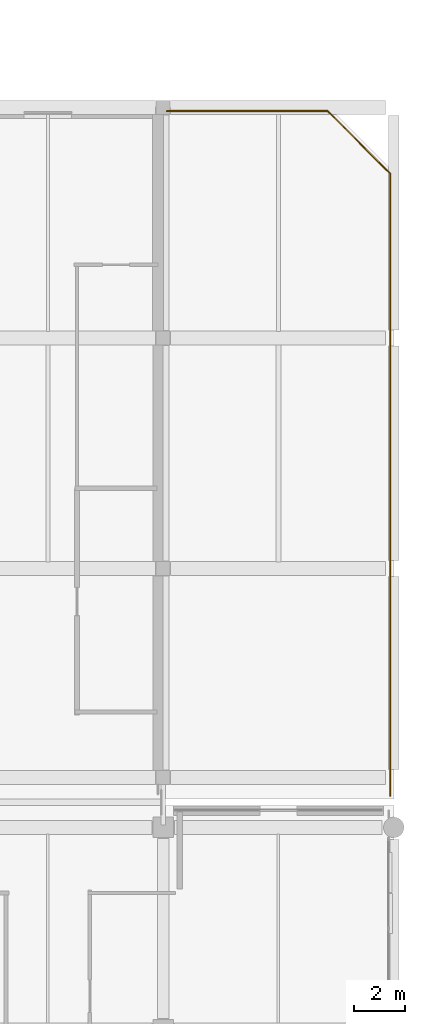
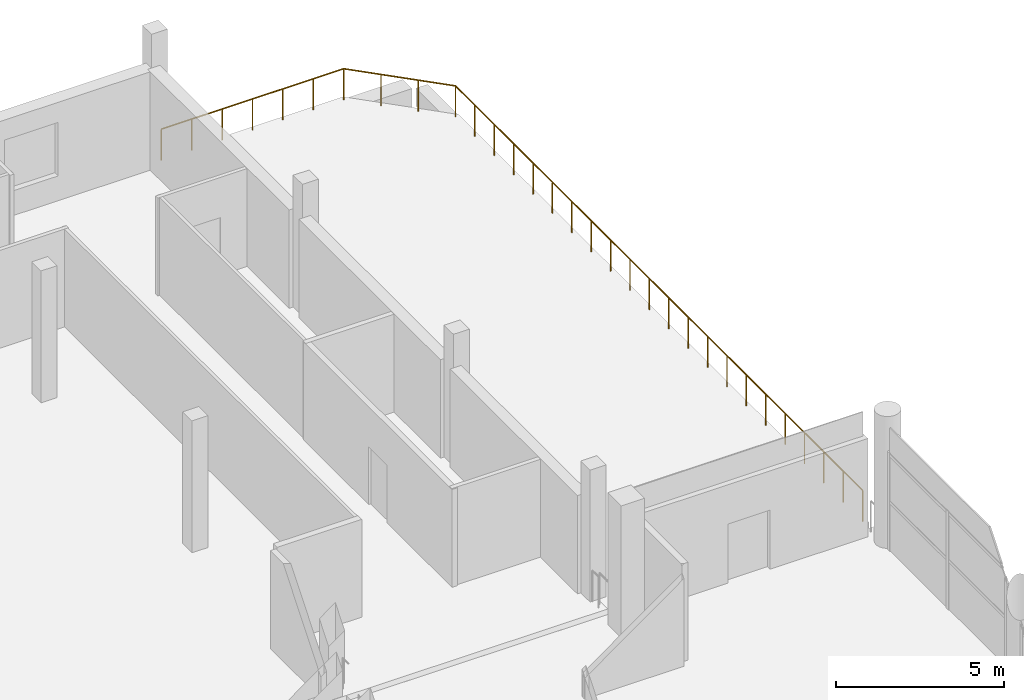
# One storey, part 111 of 111: 3 railings.
"""IFC4 building model written with IfcOpenShell, lengths in metres."""

from ifc_helpers import new_model, si_unit, direction, frame, origin, origin_2d, place, context, subcontext, project, spatial, circle, extrude, material, type_object, element, save


model = new_model("IFC4")

# Units and contexts
model_context = context("Model", 3, precision=1e-05, world=origin(), true_north=direction((0.0, 1.0)))
body_context = subcontext(model_context, "Body", "Model", "MODEL_VIEW")
ifc_project = project(units=[si_unit("LENGTHUNIT", "METRE"), si_unit("AREAUNIT", "SQUARE_METRE"), si_unit("VOLUMEUNIT", "CUBIC_METRE"), si_unit("PLANEANGLEUNIT", "RADIAN"), si_unit("MASSUNIT", "GRAM", prefix="KILO"), si_unit("THERMODYNAMICTEMPERATUREUNIT", "KELVIN"), si_unit("POWERUNIT", "WATT")], contexts=[model_context])

# Site, building, storey
site_placement = place(None, origin())
site = spatial("IfcSite", under=ifc_project, at=site_placement, CompositionType="ELEMENT")
building_placement = place(site_placement, origin())
building = spatial("IfcBuilding", under=site, at=building_placement, Name="Sindhuravela Promenade Stadium", CompositionType="ELEMENT")
storey_placement = place(building_placement, frame((0.0, 0.0, 9.60009765625)))
storey = spatial("IfcBuildingStorey", under=building, at=storey_placement, Name="L02", CompositionType="ELEMENT", Elevation=9.60009765625)

# Railings
ifc_material = material(Name="Architectural wrought steel E350", Category="steel")
railing_type = type_object("IfcRailingType", Name="RL-BAL-1150", PredefinedType="BALUSTRADE", material=ifc_material)
railing_1_placement = place(storey_placement, frame((207.139892578125, 152.860107421875, 0.0)))
element("IfcRailing", 1, at=railing_1_placement, inside=storey, type_object=railing_type, Name="Terrace wrought balustrade BL01-10", PredefinedType="BALUSTRADE", context=body_context, shape_type="SweptSolid", body=[
    extrude(circle(Radius=0.02392578125, at=origin_2d()), frame((0.0, 0.0, 1.1259765625), z_axis=(1.0, 0.0, 0.0), x_axis=(0.0, 1.0, 0.0)), (0.0, 0.0, 1.0), 6.2822265625),
    extrude(circle(Radius=0.02099609375, at=origin_2d()), origin(), (0.0, 0.0, 1.0), 1.101806640625),
    extrude(circle(Radius=0.02099609375, at=origin_2d()), frame((1.047119140625, 0.0, 0.0)), (0.0, 0.0, 1.0), 1.101806640625),
    extrude(circle(Radius=0.02099609375, at=origin_2d()), frame((2.093994140625, 0.0, 0.0)), (0.0, 0.0, 1.0), 1.101806640625),
    extrude(circle(Radius=0.02099609375, at=origin_2d()), frame((3.14111328125, 0.0, 0.0)), (0.0, 0.0, 1.0), 1.101806640625),
    extrude(circle(Radius=0.02099609375, at=origin_2d()), frame((4.188232421875, 0.0, 0.0)), (0.0, 0.0, 1.0), 1.101806640625),
    extrude(circle(Radius=0.02099609375, at=origin_2d()), frame((5.235107421875, 0.0, 0.0)), (0.0, 0.0, 1.0), 1.101806640625),
    extrude(circle(Radius=0.02099609375, at=origin_2d()), frame((6.2822265625, 0.0, 0.0)), (0.0, 0.0, 1.0), 1.101806640625),
])
railing_2_placement = place(storey_placement, frame((213.422119140625, 152.860107421875, 0.0)))
element("IfcRailing", 2, at=railing_2_placement, inside=storey, type_object=railing_type, Name="Terrace wrought balustrade BL01-11", PredefinedType="BALUSTRADE", context=body_context, shape_type="SweptSolid", body=[
    extrude(circle(Radius=0.02392578125, at=origin_2d()), frame((0.0, 0.0, 1.1259765625), z_axis=(0.7071067811865476, -0.7071067811865476, 0.0), x_axis=(0.7071067811865476, 0.7071067811865476, 0.0)), (0.0, 0.0, 1.0), 3.44775390625),
    extrude(circle(Radius=0.02099609375, at=origin_2d()), origin(), (0.0, 0.0, 1.0), 1.101806640625),
    extrude(circle(Radius=0.02099609375, at=origin_2d()), frame((0.812744140625, -0.812744140625, 0.0)), (0.0, 0.0, 1.0), 1.101806640625),
    extrude(circle(Radius=0.02099609375, at=origin_2d()), frame((1.625244140625, -1.625244140625, 0.0)), (0.0, 0.0, 1.0), 1.101806640625),
    extrude(circle(Radius=0.02099609375, at=origin_2d()), frame((2.43798828125, -2.43798828125, 0.0)), (0.0, 0.0, 1.0), 1.101806640625),
])
railing_3_placement = place(storey_placement, frame((215.860107421875, 150.422119140625, 0.0)))
element("IfcRailing", 3, at=railing_3_placement, inside=storey, type_object=railing_type, Name="Terrace wrought balustrade BL01-12", PredefinedType="BALUSTRADE", context=body_context, shape_type="SweptSolid", body=[
    extrude(circle(Radius=0.02392578125, at=origin_2d()), frame((0.0, 0.0, 1.1259765625), z_axis=(0.0, -1.0, 0.0), x_axis=(1.0, 0.0, 0.0)), (0.0, 0.0, 1.0), 24.2822265625),
    extrude(circle(Radius=0.02099609375, at=origin_2d()), origin(), (0.0, 0.0, 1.0), 1.101806640625),
    extrude(circle(Radius=0.02099609375, at=origin_2d()), frame((0.0, -1.15625, 0.0)), (0.0, 0.0, 1.0), 1.101806640625),
    extrude(circle(Radius=0.02099609375, at=origin_2d()), frame((0.0, -2.3125, 0.0)), (0.0, 0.0, 1.0), 1.101806640625),
    extrude(circle(Radius=0.02099609375, at=origin_2d()), frame((0.0, -3.468994140625, 0.0)), (0.0, 0.0, 1.0), 1.101806640625),
    extrude(circle(Radius=0.02099609375, at=origin_2d()), frame((0.0, -4.625244140625, 0.0)), (0.0, 0.0, 1.0), 1.101806640625),
    extrude(circle(Radius=0.02099609375, at=origin_2d()), frame((0.0, -5.781494140625, 0.0)), (0.0, 0.0, 1.0), 1.101806640625),
    extrude(circle(Radius=0.02099609375, at=origin_2d()), frame((0.0, -6.937744140625, 0.0)), (0.0, 0.0, 1.0), 1.101806640625),
    extrude(circle(Radius=0.02099609375, at=origin_2d()), frame((0.0, -8.093994140625, 0.0)), (0.0, 0.0, 1.0), 1.101806640625),
    extrude(circle(Radius=0.02099609375, at=origin_2d()), frame((0.0, -9.25048828125, 0.0)), (0.0, 0.0, 1.0), 1.101806640625),
    extrude(circle(Radius=0.02099609375, at=origin_2d()), frame((0.0, -10.40673828125, 0.0)), (0.0, 0.0, 1.0), 1.101806640625),
    extrude(circle(Radius=0.02099609375, at=origin_2d()), frame((0.0, -11.56298828125, 0.0)), (0.0, 0.0, 1.0), 1.101806640625),
    extrude(circle(Radius=0.02099609375, at=origin_2d()), frame((0.0, -12.71923828125, 0.0)), (0.0, 0.0, 1.0), 1.101806640625),
    extrude(circle(Radius=0.02099609375, at=origin_2d()), frame((0.0, -13.87548828125, 0.0)), (0.0, 0.0, 1.0), 1.101806640625),
    extrude(circle(Radius=0.02099609375, at=origin_2d()), frame((0.0, -15.03173828125, 0.0)), (0.0, 0.0, 1.0), 1.101806640625),
    extrude(circle(Radius=0.02099609375, at=origin_2d()), frame((0.0, -16.188232421875, 0.0)), (0.0, 0.0, 1.0), 1.101806640625),
    extrude(circle(Radius=0.02099609375, at=origin_2d()), frame((0.0, -17.344482421875, 0.0)), (0.0, 0.0, 1.0), 1.101806640625),
    extrude(circle(Radius=0.02099609375, at=origin_2d()), frame((0.0, -18.500732421875, 0.0)), (0.0, 0.0, 1.0), 1.101806640625),
    extrude(circle(Radius=0.02099609375, at=origin_2d()), frame((0.0, -19.656982421875, 0.0)), (0.0, 0.0, 1.0), 1.101806640625),
    extrude(circle(Radius=0.02099609375, at=origin_2d()), frame((0.0, -20.813232421875, 0.0)), (0.0, 0.0, 1.0), 1.101806640625),
    extrude(circle(Radius=0.02099609375, at=origin_2d()), frame((0.0, -21.9697265625, 0.0)), (0.0, 0.0, 1.0), 1.101806640625),
    extrude(circle(Radius=0.02099609375, at=origin_2d()), frame((0.0, -23.1259765625, 0.0)), (0.0, 0.0, 1.0), 1.101806640625),
    extrude(circle(Radius=0.02099609375, at=origin_2d()), frame((0.0, -24.2822265625, 0.0)), (0.0, 0.0, 1.0), 1.101806640625),
])

save(model, "model.ifc")
